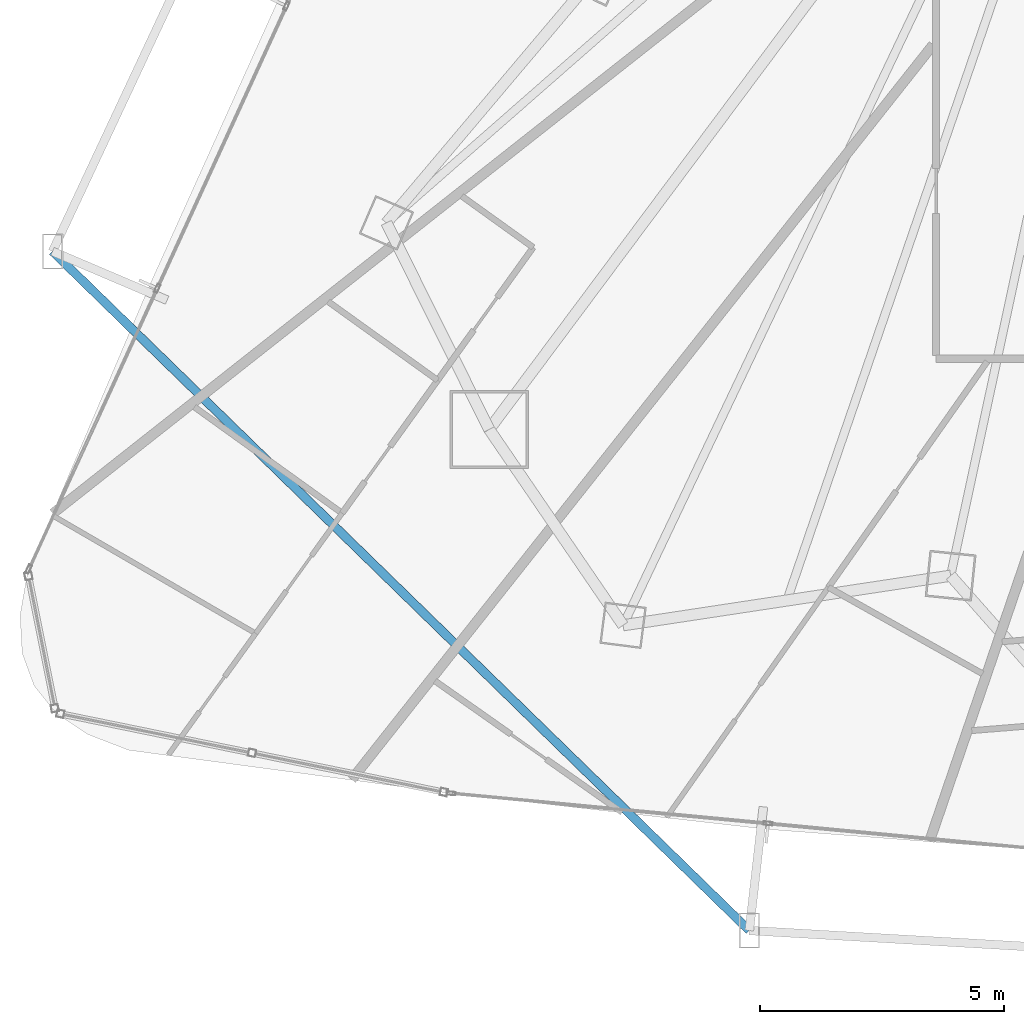
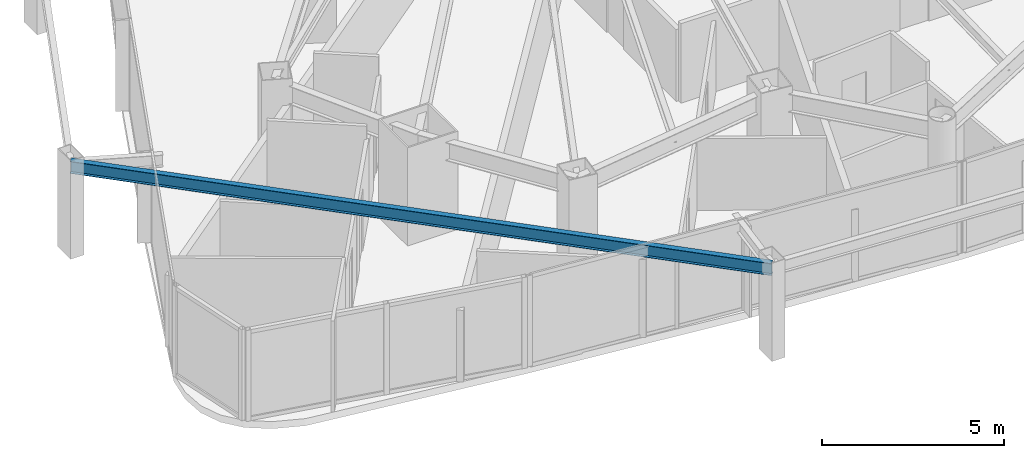
# One storey, part 3 of 37: 1 beam.
"""IFC4 building model written with IfcOpenShell, lengths in metres."""

from ifc_helpers import new_model, si_unit, direction, frame, origin, origin_2d, place, context, subcontext, project, spatial, i_section, extrude, material, material_profile, profile_set, type_object, element, save


model = new_model("IFC4")

# Units and contexts
model_context = context("Model", 3, precision=1e-05, world=origin(), true_north=direction((0.0, 1.0)))
body_context = subcontext(model_context, "Body", "Model", "MODEL_VIEW")
ifc_project = project(units=[si_unit("LENGTHUNIT", "METRE"), si_unit("AREAUNIT", "SQUARE_METRE"), si_unit("VOLUMEUNIT", "CUBIC_METRE"), si_unit("PLANEANGLEUNIT", "RADIAN"), si_unit("MASSUNIT", "GRAM", prefix="KILO")], contexts=[model_context])

# Site, building, storey
site_placement = place(None, origin())
site = spatial("IfcSite", under=ifc_project, at=site_placement, CompositionType="ELEMENT")
building_placement = place(site_placement, origin())
building = spatial("IfcBuilding", under=site, at=building_placement, Name="Orvanel Arch Residences", CompositionType="ELEMENT")
storey_placement = place(building_placement, frame((0.0, 0.0, 53.300048828125)))
storey = spatial("IfcBuildingStorey", under=building, at=storey_placement, Name="L14", CompositionType="ELEMENT", Elevation=53.300048828125)

# Beam
ifc_material = material(Name="Structural steel AS/NZS 3679.1 Grade 300 (300 MPa)", Category="steel")
ifc_material_profile = material_profile(ifc_material, i_section(OverallWidth=0.177978515625, OverallDepth=0.406005859375, WebThickness=0.0078125, FlangeThickness=0.0126953125, at=origin_2d()), Name="410UB59.7")
ifc_profile_set = profile_set([ifc_material_profile], Name="Structural steel AS/NZS 3679.1 Grade 300 (300 MPa)")
beam_type = type_object("IfcBeamType", Name="OB-410UB-EXT", PredefinedType="SPANDREL", material=ifc_profile_set)
beam_placement = place(storey_placement, frame((5.256103515625, 13.99609375, 2.85693359375), z_axis=(0.716121232372, -0.697975916881, 0.0), x_axis=(0.697975916881, 0.716121232372, 0.0)))
element("IfcBeam", 1, at=beam_placement, inside=storey, type_object=beam_type, Name="L14 Outer Perimeter Floor Ring Beam 04", PredefinedType="SPANDREL", context=body_context, shape_type="SweptSolid", body=[
    extrude(i_section(OverallWidth=0.177978515625, OverallDepth=0.406005859375, WebThickness=0.0078125, FlangeThickness=0.0126953125, at=origin_2d()), origin(), (0.0, 0.0, 1.0), 19.926513671875),
])

save(model, "model.ifc")
